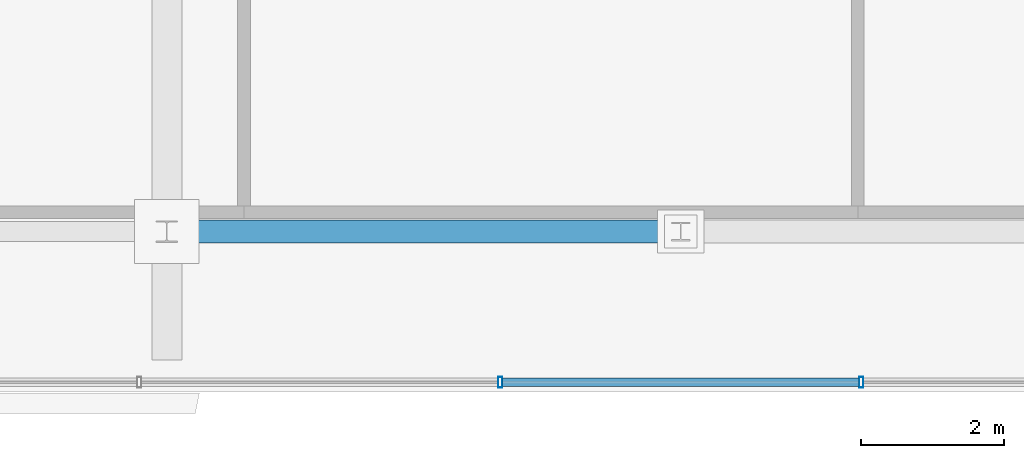
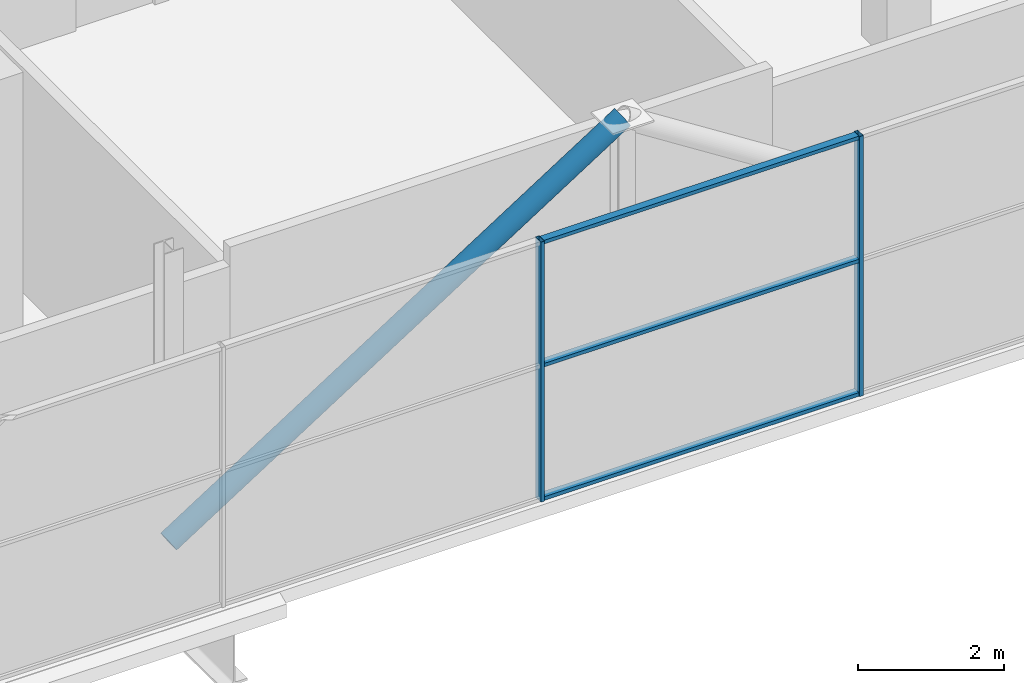
# One storey, part 7 of 28: 6 members, 1 element without a shape of its own.
"""IFC4 building model written with IfcOpenShell, lengths in metres."""

from ifc_helpers import new_model, si_unit, direction, frame, origin, origin_2d, place, context, subcontext, project, spatial, hollow_rectangle, hollow_circle, extrude, source, transform, mapped, material, layer, layer_set, material_profile, profile_set, type_object, element, aggregate, save


model = new_model("IFC4")

# Units and contexts
model_context = context("Model", 3, precision=1e-05, world=origin(), true_north=direction((0.0, 1.0)))
body_context = subcontext(model_context, "Body", "Model", "MODEL_VIEW")
ifc_project = project(units=[si_unit("LENGTHUNIT", "METRE"), si_unit("AREAUNIT", "SQUARE_METRE"), si_unit("VOLUMEUNIT", "CUBIC_METRE"), si_unit("PLANEANGLEUNIT", "RADIAN"), si_unit("MASSUNIT", "GRAM", prefix="KILO")], contexts=[model_context])

# Site, building, storey
site_placement = place(None, origin())
site = spatial("IfcSite", under=ifc_project, at=site_placement, CompositionType="ELEMENT")
building_placement = place(site_placement, origin())
building = spatial("IfcBuilding", under=site, at=building_placement, Name="Zarnakvel Exchange Tower", CompositionType="ELEMENT")
storey_placement = place(building_placement, frame((0.0, 0.0, 271.60009765625)))
storey = spatial("IfcBuildingStorey", under=building, at=storey_placement, Name="Crown L77", CompositionType="ELEMENT", Elevation=271.60009765625)

# Member
ifc_material_1 = material(Name="Steel S355", Category="steel")
ifc_material_profile_1 = material_profile(ifc_material_1, hollow_circle(Radius=0.161865234375, WallThickness=0.01611328125, at=origin_2d()))
ifc_profile_set_1 = profile_set([ifc_material_profile_1], Name="Steel S355")
member_type_1 = type_object("IfcMemberType", Name="CF-03", PredefinedType="BRACE", material=ifc_profile_set_1)
shared_shape_1 = source(origin(), body_context, "Body", "SweptSolid", [
    extrude(hollow_circle(Radius=0.161865234375, WallThickness=0.01611328125, at=origin_2d()), origin(), (0.0, 0.0, 1.0), 8.5439453125),
])
member_1_placement = place(storey_placement, frame((-7.199951171875, -14.550048828125, -0.360107421875), z_axis=(0.842689417531, 0.0, 0.53839998661), x_axis=(0.0, 1.0, 0.0)))
element("IfcMember", 1, at=member_1_placement, inside=storey, type_object=member_type_1, Name="Crown L77 Crown Chevron Brace L (CF-03)", PredefinedType="BRACE", context=body_context, shape_type="MappedRepresentation", body=[
    mapped(shared_shape_1, transform((0.0, 0.0, 0.0), x_axis=(1.0, 0.0, 0.0), y_axis=(0.0, 1.0, 0.0), z_axis=(0.0, 0.0, 1.0), scale=1.0)),
])

# Curtain wall, members
ifc_material_2 = material(Name="Architectural Bronze Anodised Aluminium", Category="aluminium")
ifc_layer = layer(ifc_material_2, 0.14990234375)
ifc_layer_set = layer_set([ifc_layer], Name="Architectural Bronze Anodised Aluminium")
curtain_wall_type = type_object("IfcCurtainWallType", Name="CW-07", PredefinedType="NOTDEFINED", material=ifc_layer_set)
curtain_wall_placement = place(storey_placement, origin())
curtain_wall = element("IfcCurtainWall", 2, at=curtain_wall_placement, inside=storey, type_object=curtain_wall_type, Name="Crown L77 Curtain Wall CW-Crown L77-S (CW-07)", PredefinedType="NOTDEFINED")
ifc_material_profile_2 = material_profile(ifc_material_2, hollow_rectangle(XDim=0.14990234375, YDim=0.06005859375, WallThickness=0.00390625, at=origin_2d()))
ifc_profile_set_2 = profile_set([ifc_material_profile_2], Name="Architectural Bronze Anodised Aluminium")
member_type_2 = type_object("IfcMemberType", Name="CWM-07", PredefinedType="MULLION", material=ifc_profile_set_2)
shared_shape_2 = source(origin(), body_context, "Body", "SweptSolid", [
    extrude(hollow_rectangle(XDim=0.14990234375, YDim=0.06005859375, WallThickness=0.00390625, at=origin_2d()), origin(), (0.0, 0.0, 1.0), 4.35986328125),
])
member_2_placement = place(storey_placement, frame((-2.528564453125, -16.659912109375, 0.0), z_axis=(0.0, 0.0, 1.0), x_axis=(0.0, 1.0, 0.0)))
member_2 = element("IfcMember", 3, at=member_2_placement, type_object=member_type_2, Name="CW-07 mullion 4", PredefinedType="MULLION", context=body_context, shape_type="MappedRepresentation", body=[
    mapped(shared_shape_2, transform((0.0, 0.0, 0.0), x_axis=(1.0, 0.0, 0.0), y_axis=(0.0, 1.0, 0.0), z_axis=(0.0, 0.0, 1.0), scale=1.0)),
])
member_3_placement = place(storey_placement, frame((2.528564453125, -16.659912109375, 0.0), z_axis=(0.0, 0.0, 1.0), x_axis=(0.0, 1.0, 0.0)))
member_3 = element("IfcMember", 4, at=member_3_placement, type_object=member_type_2, Name="CW-07 mullion 5", PredefinedType="MULLION", context=body_context, shape_type="MappedRepresentation", body=[
    mapped(shared_shape_2, transform((0.0, 0.0, 0.0), x_axis=(1.0, 0.0, 0.0), y_axis=(0.0, 1.0, 0.0), z_axis=(0.0, 0.0, 1.0), scale=1.0)),
])
ifc_material_profile_3 = material_profile(ifc_material_2, hollow_rectangle(XDim=0.1201171875, YDim=0.06005859375, WallThickness=0.00390625, at=origin_2d()))
ifc_profile_set_3 = profile_set([ifc_material_profile_3], Name="Architectural Bronze Anodised Aluminium")
member_type_3 = type_object("IfcMemberType", Name="CWT-07", PredefinedType="USERDEFINED", material=ifc_profile_set_3)
shared_shape_3 = source(origin(), body_context, "Body", "SweptSolid", [
    extrude(hollow_rectangle(XDim=0.1201171875, YDim=0.06005859375, WallThickness=0.00390625, at=origin_2d()), origin(), (0.0, 0.0, 1.0), 4.9970703125),
])
member_4_placement = place(storey_placement, frame((-2.49853515625, -16.659912109375, 0.02978515625), z_axis=(1.0, 0.0, 0.0), x_axis=(0.0, 1.0, 0.0)))
member_4 = element("IfcMember", 5, at=member_4_placement, type_object=member_type_3, Name="CW-07 transom 4.1", ObjectType="TRANSOM", PredefinedType="USERDEFINED", context=body_context, shape_type="MappedRepresentation", body=[
    mapped(shared_shape_3, transform((0.0, 0.0, 0.0), x_axis=(1.0, 0.0, 0.0), y_axis=(0.0, 1.0, 0.0), z_axis=(0.0, 0.0, 1.0), scale=1.0)),
])
member_5_placement = place(storey_placement, frame((-2.49853515625, -16.659912109375, 2.26708984375), z_axis=(1.0, 0.0, 0.0), x_axis=(0.0, 1.0, 0.0)))
member_5 = element("IfcMember", 6, at=member_5_placement, type_object=member_type_3, Name="CW-07 transom 4.2", ObjectType="TRANSOM", PredefinedType="USERDEFINED", context=body_context, shape_type="MappedRepresentation", body=[
    mapped(shared_shape_3, transform((0.0, 0.0, 0.0), x_axis=(1.0, 0.0, 0.0), y_axis=(0.0, 1.0, 0.0), z_axis=(0.0, 0.0, 1.0), scale=1.0)),
])
member_6_placement = place(storey_placement, frame((-2.49853515625, -16.659912109375, 4.329833984375), z_axis=(1.0, 0.0, 0.0), x_axis=(0.0, 1.0, 0.0)))
member_6 = element("IfcMember", 7, at=member_6_placement, type_object=member_type_3, Name="CW-07 transom 4.3", ObjectType="TRANSOM", PredefinedType="USERDEFINED", context=body_context, shape_type="MappedRepresentation", body=[
    mapped(shared_shape_3, transform((0.0, 0.0, 0.0), x_axis=(1.0, 0.0, 0.0), y_axis=(0.0, 1.0, 0.0), z_axis=(0.0, 0.0, 1.0), scale=1.0)),
])
aggregate(curtain_wall, [member_2, member_3, member_4, member_5, member_6])

save(model, "model.ifc")
